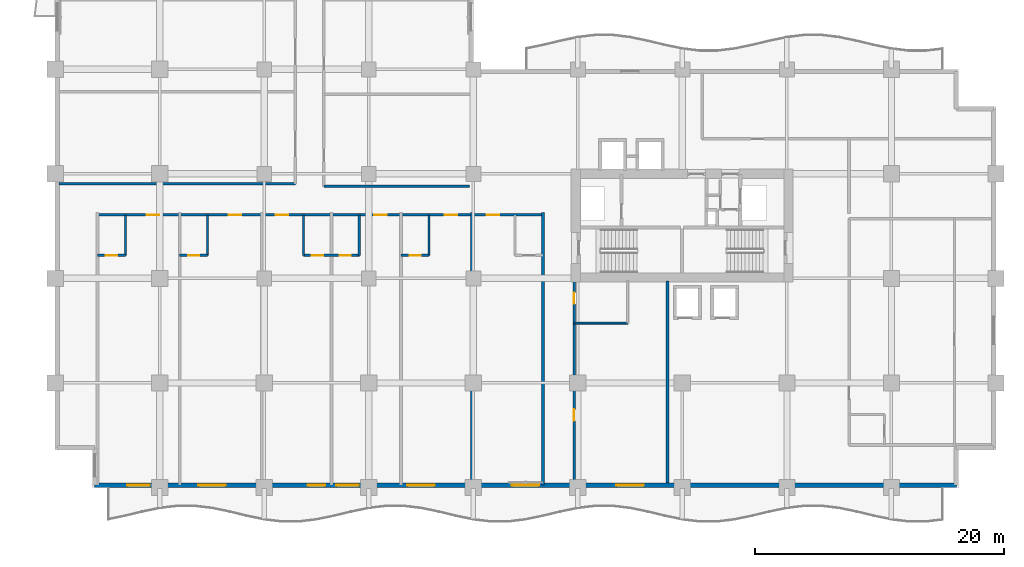
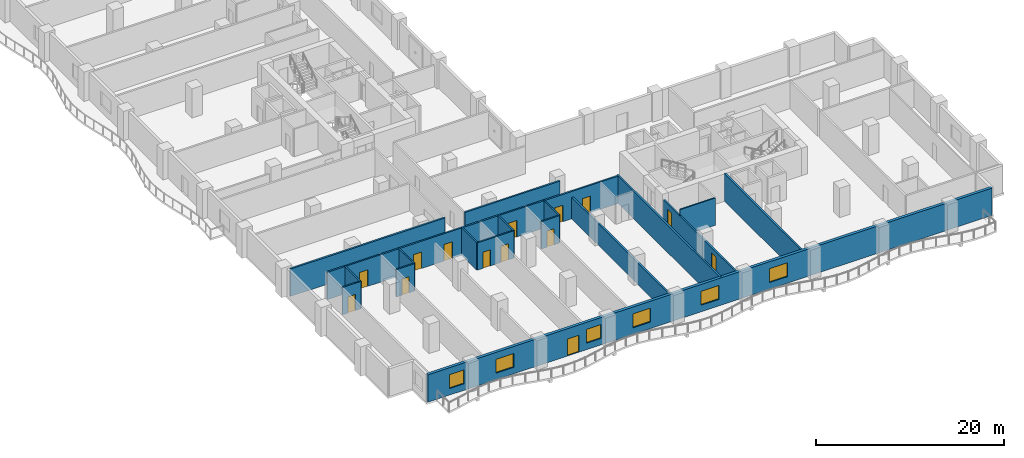
# One storey, part 4 of 17: 18 walls, 14 doors, 6 windows, 20 openings.
"""IFC4 building model written with IfcOpenShell, lengths in metres."""

from ifc_helpers import new_model, si_unit, direction, frame, frame_2d, origin, place, context, subcontext, project, spatial, rectangle, extrude, material, layer, layer_set, type_object, element, fill, save


model = new_model("IFC4")

# Units and contexts
model_context = context("Model", 3, precision=1e-05, world=origin(), true_north=direction((0.0, 1.0)))
body_context = subcontext(model_context, "Body", "Model", "MODEL_VIEW")
ifc_project = project(units=[si_unit("LENGTHUNIT", "METRE"), si_unit("AREAUNIT", "SQUARE_METRE"), si_unit("VOLUMEUNIT", "CUBIC_METRE"), si_unit("PLANEANGLEUNIT", "RADIAN"), si_unit("MASSUNIT", "GRAM", prefix="KILO")], contexts=[model_context])

# Site, building, storey
site_placement = place(None, origin())
site = spatial("IfcSite", under=ifc_project, at=site_placement, CompositionType="ELEMENT")
building_placement = place(site_placement, origin())
building = spatial("IfcBuilding", under=site, at=building_placement, Name="Koriwani Terraces Tower", CompositionType="ELEMENT")
storey_placement = place(building_placement, frame((0.0, 0.0, 122.800048828125)))
storey = spatial("IfcBuildingStorey", under=building, at=storey_placement, Name="L29", CompositionType="ELEMENT", Elevation=122.800048828125)

# Wall, openings, doors
ifc_material_1 = material(Name="Autoclaved Cellular Concrete Blockwork", Category="masonry")
ifc_layer_1 = layer(ifc_material_1, 0.199951171875, Name="Autoclaved Cellular Concrete Blockwork")
ifc_layer_set_1 = layer_set([ifc_layer_1], Name="Autoclaved Cellular Concrete Blockwork")
wall_type_1 = type_object("IfcWallType", Name="WALL_CORRIDOR_200", PredefinedType="PARTITIONING", material=ifc_layer_set_1)
wall_1_placement = place(storey_placement, frame((41.699951171875, 0.35009765625, 0.0), z_axis=(0.0, 0.0, 1.0), x_axis=(0.0, 1.0, 0.0)))
wall_1 = element("IfcWall", 1, at=wall_1_placement, inside=storey, type_object=wall_type_1, Name="L29 Interior Wall WREC-EW-L29", PredefinedType="PARTITIONING", context=body_context, shape_type="SweptSolid", body=[
    extrude(rectangle(XDim=16.25, YDim=0.199951171875, at=frame_2d((8.125, 0.0))), origin(), (0.0, 0.0, 1.0), 2.800048828125),
])
opening_1_placement = place(wall_1_placement, frame((5.0, 0.0, 0.0)))
opening_1 = element("IfcOpeningElement", 2, at=opening_1_placement, cuts=wall_1, Name="Opening D-06", PredefinedType="OPENING", context=body_context, shape_type="SweptSolid", body=[
    extrude(rectangle(XDim=0.919921875, YDim=2.10009765625, at=frame_2d((0.4599609375, 1.050048828125))), frame((0.0, 0.10986328125, 0.0), z_axis=(0.0, -1.0, 0.0), x_axis=(1.0, 0.0, 0.0)), (0.0, 0.0, 1.0), 0.219970703125),
])
opening_2_placement = place(wall_1_placement, frame((14.39990234375, 0.0, 0.0)))
opening_2 = element("IfcOpeningElement", 3, at=opening_2_placement, cuts=wall_1, Name="Opening D-07", PredefinedType="OPENING", context=body_context, shape_type="SweptSolid", body=[
    extrude(rectangle(XDim=0.89990234375, YDim=2.10009765625, at=frame_2d((0.449951171875, 1.050048828125))), frame((0.0, 0.10986328125, 0.0), z_axis=(0.0, -1.0, 0.0), x_axis=(1.0, 0.0, 0.0)), (0.0, 0.0, 1.0), 0.219970703125),
])
ifc_material_2 = material(Name="Architectural Oak Fire Door", Category="wood")
door_type_1 = type_object("IfcDoorType", Name="DOOR_BATH_INT_900X2100", OperationType="NOTDEFINED", PredefinedType="DOOR", material=ifc_material_2)
door_1_placement = place(opening_2_placement, origin())
door_1 = element("IfcDoor", 4, at=door_1_placement, inside=storey, type_object=door_type_1, Name="L29 Linen Closet Door", OperationType="SINGLE_SWING_LEFT", OverallHeight=2.10009765625, OverallWidth=0.89990234375, PredefinedType="DOOR", context=body_context, shape_type="SweptSolid", body=[
    extrude(rectangle(XDim=0.89990234375, YDim=2.10009765625, at=frame_2d((0.449951171875, 1.050048828125))), frame((0.0, 0.02490234375, 0.0), z_axis=(0.0, -1.0, 0.0), x_axis=(1.0, 0.0, 0.0)), (0.0, 0.0, 1.0), 0.050048828125),
])
fill(opening_2, door_1)
door_type_2 = type_object("IfcDoorType", Name="DOOR_ROOM_INT_920X2100", OperationType="NOTDEFINED", PredefinedType="DOOR", material=ifc_material_2)
door_2_placement = place(opening_1_placement, origin())
door_2 = element("IfcDoor", 5, at=door_2_placement, inside=storey, type_object=door_type_2, Name="L29 Floor Study Lounge Door", OperationType="SINGLE_SWING_RIGHT", OverallHeight=2.10009765625, OverallWidth=0.919921875, PredefinedType="DOOR", context=body_context, shape_type="SweptSolid", body=[
    extrude(rectangle(XDim=0.919921875, YDim=2.10009765625, at=frame_2d((0.4599609375, 1.050048828125))), frame((0.0, 0.02490234375, 0.0), z_axis=(0.0, -1.0, 0.0), x_axis=(1.0, 0.0, 0.0)), (0.0, 0.0, 1.0), 0.050048828125),
])
fill(opening_1, door_2)

# Wall
wall_2_placement = place(storey_placement, frame((21.60009765625, 24.199951171875, 0.0), z_axis=(0.0, 0.0, 1.0), x_axis=(1.0, 0.0, 0.0)))
element("IfcWall", 6, at=wall_2_placement, inside=storey, type_object=wall_type_1, Name="L29 Interior Wall WIC2-S-L29", PredefinedType="PARTITIONING", context=body_context, shape_type="SweptSolid", body=[
    extrude(rectangle(XDim=11.699951171875, YDim=0.199951171875, at=frame_2d((5.85009765625, 0.0))), origin(), (0.0, 0.0, 1.0), 3.550048828125),
])

# Wall, openings, doors
wall_3_placement = place(storey_placement, frame((3.39990234375, 21.89990234375, 0.0), z_axis=(0.0, 0.0, 1.0), x_axis=(1.0, 0.0, 0.0)))
wall_3 = element("IfcWall", 7, at=wall_3_placement, inside=storey, type_object=wall_type_1, Name="L29 Interior Wall WCOR-L29-SW-0", PredefinedType="PARTITIONING", context=body_context, shape_type="SweptSolid", body=[
    extrude(rectangle(XDim=35.800048828125, YDim=0.199951171875, at=frame_2d((17.89990234375, 0.0))), origin(), (0.0, 0.0, 1.0), 3.550048828125),
])
opening_3_placement = place(wall_3_placement, frame((3.965087890625, 0.0, 0.0)))
opening_3 = element("IfcOpeningElement", 8, at=opening_3_placement, cuts=wall_3, Name="Opening D-05", PredefinedType="OPENING", context=body_context, shape_type="SweptSolid", body=[
    extrude(rectangle(XDim=1.0, YDim=2.14990234375, at=frame_2d((0.5, 1.074951171875))), frame((0.0, 0.10986328125, 0.0), z_axis=(0.0, -1.0, 0.0), x_axis=(1.0, 0.0, 0.0)), (0.0, 0.0, 1.0), 0.219970703125),
])
opening_4_placement = place(wall_3_placement, frame((10.56494140625, 0.0, 0.0)))
opening_4 = element("IfcOpeningElement", 9, at=opening_4_placement, cuts=wall_3, Name="Opening D-05", PredefinedType="OPENING", context=body_context, shape_type="SweptSolid", body=[
    extrude(rectangle(XDim=1.0, YDim=2.14990234375, at=frame_2d((0.5, 1.074951171875))), frame((0.0, 0.10986328125, 0.0), z_axis=(0.0, -1.0, 0.0), x_axis=(1.0, 0.0, 0.0)), (0.0, 0.0, 1.0), 0.219970703125),
])
opening_5_placement = place(wall_3_placement, frame((14.340087890625, 0.0, 0.0)))
opening_5 = element("IfcOpeningElement", 10, at=opening_5_placement, cuts=wall_3, Name="Opening D-05", PredefinedType="OPENING", context=body_context, shape_type="SweptSolid", body=[
    extrude(rectangle(XDim=1.0, YDim=2.14990234375, at=frame_2d((0.5, 1.074951171875))), frame((0.0, 0.10986328125, 0.0), z_axis=(0.0, -1.0, 0.0), x_axis=(1.0, 0.0, 0.0)), (0.0, 0.0, 1.0), 0.219970703125),
])
opening_6_placement = place(wall_3_placement, frame((22.260009765625, 0.0, 0.0)))
opening_6 = element("IfcOpeningElement", 11, at=opening_6_placement, cuts=wall_3, Name="Opening D-05", PredefinedType="OPENING", context=body_context, shape_type="SweptSolid", body=[
    extrude(rectangle(XDim=1.0, YDim=2.14990234375, at=frame_2d((0.5, 1.074951171875))), frame((0.0, 0.10986328125, 0.0), z_axis=(0.0, -1.0, 0.0), x_axis=(1.0, 0.0, 0.0)), (0.0, 0.0, 1.0), 0.219970703125),
])
opening_7_placement = place(wall_3_placement, frame((27.9150390625, 0.0, 0.0)))
opening_7 = element("IfcOpeningElement", 12, at=opening_7_placement, cuts=wall_3, Name="Opening D-05", PredefinedType="OPENING", context=body_context, shape_type="SweptSolid", body=[
    extrude(rectangle(XDim=1.0, YDim=2.14990234375, at=frame_2d((0.5, 1.074951171875))), frame((0.0, 0.10986328125, 0.0), z_axis=(0.0, -1.0, 0.0), x_axis=(1.0, 0.0, 0.0)), (0.0, 0.0, 1.0), 0.219970703125),
])
opening_8_placement = place(wall_3_placement, frame((31.284912109375, 0.0, 0.0)))
opening_8 = element("IfcOpeningElement", 13, at=opening_8_placement, cuts=wall_3, Name="Opening D-05", PredefinedType="OPENING", context=body_context, shape_type="SweptSolid", body=[
    extrude(rectangle(XDim=1.0, YDim=2.14990234375, at=frame_2d((0.5, 1.074951171875))), frame((0.0, 0.10986328125, 0.0), z_axis=(0.0, -1.0, 0.0), x_axis=(1.0, 0.0, 0.0)), (0.0, 0.0, 1.0), 0.219970703125),
])
door_type_3 = type_object("IfcDoorType", Name="DOOR_SUITE_ENTRY_1000X2150", OperationType="NOTDEFINED", PredefinedType="DOOR", material=ifc_material_2)
door_3_placement = place(opening_3_placement, origin())
door_3 = element("IfcDoor", 14, at=door_3_placement, inside=storey, type_object=door_type_3, Name="Luxury Hotel Suite 29SW1 Entrance Door", OperationType="SINGLE_SWING_LEFT", OverallHeight=2.14990234375, OverallWidth=1.0, PredefinedType="DOOR", context=body_context, shape_type="SweptSolid", body=[
    extrude(rectangle(XDim=1.0, YDim=2.14990234375, at=frame_2d((0.5, 1.074951171875))), frame((0.0, 0.02490234375, 0.0), z_axis=(0.0, -1.0, 0.0), x_axis=(1.0, 0.0, 0.0)), (0.0, 0.0, 1.0), 0.050048828125),
])
fill(opening_3, door_3)
door_4_placement = place(opening_4_placement, origin())
door_4 = element("IfcDoor", 15, at=door_4_placement, inside=storey, type_object=door_type_3, Name="Luxury Hotel Suite 29SW2 Entrance Door", OperationType="SINGLE_SWING_LEFT", OverallHeight=2.14990234375, OverallWidth=1.0, PredefinedType="DOOR", context=body_context, shape_type="SweptSolid", body=[
    extrude(rectangle(XDim=1.0, YDim=2.14990234375, at=frame_2d((0.5, 1.074951171875))), frame((0.0, 0.02490234375, 0.0), z_axis=(0.0, -1.0, 0.0), x_axis=(1.0, 0.0, 0.0)), (0.0, 0.0, 1.0), 0.050048828125),
])
fill(opening_4, door_4)
door_5_placement = place(opening_5_placement, origin())
door_5 = element("IfcDoor", 16, at=door_5_placement, inside=storey, type_object=door_type_3, Name="Luxury Hotel Suite 29SW3 Entrance Door", OperationType="SINGLE_SWING_LEFT", OverallHeight=2.14990234375, OverallWidth=1.0, PredefinedType="DOOR", context=body_context, shape_type="SweptSolid", body=[
    extrude(rectangle(XDim=1.0, YDim=2.14990234375, at=frame_2d((0.5, 1.074951171875))), frame((0.0, 0.02490234375, 0.0), z_axis=(0.0, -1.0, 0.0), x_axis=(1.0, 0.0, 0.0)), (0.0, 0.0, 1.0), 0.050048828125),
])
fill(opening_5, door_5)
door_6_placement = place(opening_6_placement, origin())
door_6 = element("IfcDoor", 17, at=door_6_placement, inside=storey, type_object=door_type_3, Name="Luxury Hotel Suite 29SW4 Entrance Door", OperationType="SINGLE_SWING_LEFT", OverallHeight=2.14990234375, OverallWidth=1.0, PredefinedType="DOOR", context=body_context, shape_type="SweptSolid", body=[
    extrude(rectangle(XDim=1.0, YDim=2.14990234375, at=frame_2d((0.5, 1.074951171875))), frame((0.0, 0.02490234375, 0.0), z_axis=(0.0, -1.0, 0.0), x_axis=(1.0, 0.0, 0.0)), (0.0, 0.0, 1.0), 0.050048828125),
])
fill(opening_6, door_6)
door_7_placement = place(opening_7_placement, origin())
door_7 = element("IfcDoor", 18, at=door_7_placement, inside=storey, type_object=door_type_3, Name="Luxury Hotel Suite 29SW5 Entrance Door", OperationType="SINGLE_SWING_LEFT", OverallHeight=2.14990234375, OverallWidth=1.0, PredefinedType="DOOR", context=body_context, shape_type="SweptSolid", body=[
    extrude(rectangle(XDim=1.0, YDim=2.14990234375, at=frame_2d((0.5, 1.074951171875))), frame((0.0, 0.02490234375, 0.0), z_axis=(0.0, -1.0, 0.0), x_axis=(1.0, 0.0, 0.0)), (0.0, 0.0, 1.0), 0.050048828125),
])
fill(opening_7, door_7)
door_8_placement = place(opening_8_placement, origin())
door_8 = element("IfcDoor", 19, at=door_8_placement, inside=storey, type_object=door_type_3, Name="Luxury Hotel Suite 29SW6 Entrance Door", OperationType="SINGLE_SWING_LEFT", OverallHeight=2.14990234375, OverallWidth=1.0, PredefinedType="DOOR", context=body_context, shape_type="SweptSolid", body=[
    extrude(rectangle(XDim=1.0, YDim=2.14990234375, at=frame_2d((0.5, 1.074951171875))), frame((0.0, 0.02490234375, 0.0), z_axis=(0.0, -1.0, 0.0), x_axis=(1.0, 0.0, 0.0)), (0.0, 0.0, 1.0), 0.050048828125),
])
fill(opening_8, door_8)

# Walls
ifc_layer_2 = layer(ifc_material_1, 0.219970703125, Name="Autoclaved Cellular Concrete Blockwork")
ifc_layer_set_2 = layer_set([ifc_layer_2], Name="Autoclaved Cellular Concrete Blockwork")
wall_type_2 = type_object("IfcWallType", Name="WALL_DEMISING_220", PredefinedType="PARTITIONING", material=ifc_layer_set_2)
wall_4_placement = place(storey_placement, frame((49.199951171875, 0.35009765625, 0.0), z_axis=(0.0, 0.0, 1.0), x_axis=(0.0, 1.0, 0.0)))
element("IfcWall", 20, at=wall_4_placement, inside=storey, type_object=wall_type_2, Name="L29 Interior Wall WREC-EE-L29", PredefinedType="PARTITIONING", context=body_context, shape_type="SweptSolid", body=[
    extrude(rectangle(XDim=16.25, YDim=0.219970703125, at=frame_2d((8.125, 0.0))), origin(), (0.0, 0.0, 1.0), 3.550048828125),
])
wall_5_placement = place(storey_placement, frame((33.5, 0.199951171875, 0.0), z_axis=(0.0, 0.0, 1.0), x_axis=(0.0, 1.0, 0.0)))
element("IfcWall", 21, at=wall_5_placement, inside=storey, type_object=wall_type_2, Name="L29 Interior Wall WDEM-L29-SW-5", PredefinedType="PARTITIONING", context=body_context, shape_type="SweptSolid", body=[
    extrude(rectangle(XDim=21.880126953125, YDim=0.219970703125, at=frame_2d((10.93994140625, 0.0))), origin(), (0.0, 0.0, 1.0), 2.800048828125),
])
wall_6_placement = place(storey_placement, frame((39.199951171875, 0.199951171875, 0.0), z_axis=(0.0, 0.0, 1.0), x_axis=(0.0, 1.0, 0.0)))
element("IfcWall", 22, at=wall_6_placement, inside=storey, type_object=wall_type_2, Name="L29 Interior Wall WDEME-L29-SW", PredefinedType="PARTITIONING", context=body_context, shape_type="SweptSolid", body=[
    extrude(rectangle(XDim=21.880126953125, YDim=0.219970703125, at=frame_2d((10.93994140625, 0.0))), origin(), (0.0, 0.0, 1.0), 3.550048828125),
])
wall_7_placement = place(storey_placement, frame((0.300048828125, 24.39990234375, 0.0), z_axis=(0.0, 0.0, 1.0), x_axis=(1.0, 0.0, 0.0)))
element("IfcWall", 23, at=wall_7_placement, inside=storey, type_object=wall_type_2, Name="L29 Interior Wall WC2NWCLS-L29", PredefinedType="PARTITIONING", context=body_context, shape_type="SweptSolid", body=[
    extrude(rectangle(XDim=19.0, YDim=0.219970703125, at=frame_2d((9.5, 0.0))), origin(), (0.0, 0.0, 1.0), 3.550048828125),
])

# Wall, openings, door, windows
ifc_material_3 = material(Name="Concrete C50/60", Category="concrete")
ifc_layer_3 = layer(ifc_material_3, 0.35009765625, Name="Concrete C50/60")
ifc_layer_set_3 = layer_set([ifc_layer_3], Name="Concrete C50/60")
wall_type_3 = type_object("IfcWallType", Name="WALL_EXT_BRUTALIST_350", PredefinedType="STANDARD", material=ifc_layer_set_3)
wall_8_placement = place(storey_placement, frame((72.425048828125, 0.175048828125, 0.0), z_axis=(0.0, 0.0, 1.0), x_axis=(-1.0, 0.0, 0.0)))
wall_8 = element("IfcWall", 24, at=wall_8_placement, inside=storey, type_object=wall_type_3, Name="L29 Fair-Faced Brutalist Exterior Wall (S)", PredefinedType="STANDARD", context=body_context, shape_type="SweptSolid", body=[
    extrude(rectangle(XDim=69.25, YDim=0.35009765625, at=frame_2d((34.625, 0.0))), origin(), (0.0, 0.0, 1.0), 3.550048828125),
])
opening_9_placement = place(wall_8_placement, frame((50.72509765625, 0.0, 0.0)))
opening_9 = element("IfcOpeningElement", 25, at=opening_9_placement, cuts=wall_8, Name="Opening D-09", PredefinedType="OPENING", context=body_context, shape_type="SweptSolid", body=[
    extrude(rectangle(XDim=1.39990234375, YDim=2.199951171875, at=frame_2d((0.699951171875, 1.10009765625))), frame((0.0, 0.18505859375, 0.0), z_axis=(0.0, -1.0, 0.0), x_axis=(1.0, 0.0, 0.0)), (0.0, 0.0, 1.0), 0.3701171875),
])
opening_10_placement = place(wall_8_placement, frame((58.72509765625, 0.0, 0.85009765625)))
opening_10 = element("IfcOpeningElement", 26, at=opening_10_placement, cuts=wall_8, Name="Opening W-01", PredefinedType="OPENING", context=body_context, shape_type="SweptSolid", body=[
    extrude(rectangle(XDim=2.199951171875, YDim=1.800048828125, at=frame_2d((1.10009765625, 0.89990234375))), frame((0.0, 0.18505859375, 0.0), z_axis=(0.0, -1.0, 0.0), x_axis=(1.0, 0.0, 0.0)), (0.0, 0.0, 1.0), 0.3701171875),
])
opening_11_placement = place(wall_8_placement, frame((41.925048828125, 0.0, 0.85009765625)))
opening_11 = element("IfcOpeningElement", 27, at=opening_11_placement, cuts=wall_8, Name="Opening W-01", PredefinedType="OPENING", context=body_context, shape_type="SweptSolid", body=[
    extrude(rectangle(XDim=2.199951171875, YDim=1.800048828125, at=frame_2d((1.10009765625, 0.89990234375))), frame((0.0, 0.18505859375, 0.0), z_axis=(0.0, -1.0, 0.0), x_axis=(1.0, 0.0, 0.0)), (0.0, 0.0, 1.0), 0.3701171875),
])
opening_12_placement = place(wall_8_placement, frame((33.52490234375, 0.0, 0.85009765625)))
opening_12 = element("IfcOpeningElement", 28, at=opening_12_placement, cuts=wall_8, Name="Opening W-01", PredefinedType="OPENING", context=body_context, shape_type="SweptSolid", body=[
    extrude(rectangle(XDim=2.199951171875, YDim=1.800048828125, at=frame_2d((1.10009765625, 0.89990234375))), frame((0.0, 0.18505859375, 0.0), z_axis=(0.0, -1.0, 0.0), x_axis=(1.0, 0.0, 0.0)), (0.0, 0.0, 1.0), 0.3701171875),
])
opening_13_placement = place(wall_8_placement, frame((25.125, 0.0, 0.85009765625)))
opening_13 = element("IfcOpeningElement", 29, at=opening_13_placement, cuts=wall_8, Name="Opening W-01", PredefinedType="OPENING", context=body_context, shape_type="SweptSolid", body=[
    extrude(rectangle(XDim=2.199951171875, YDim=1.800048828125, at=frame_2d((1.10009765625, 0.89990234375))), frame((0.0, 0.18505859375, 0.0), z_axis=(0.0, -1.0, 0.0), x_axis=(1.0, 0.0, 0.0)), (0.0, 0.0, 1.0), 0.3701171875),
])
opening_14_placement = place(wall_8_placement, frame((64.824951171875, 0.0, 0.85009765625)))
opening_14 = element("IfcOpeningElement", 30, at=opening_14_placement, cuts=wall_8, Name="Opening W-04", PredefinedType="OPENING", context=body_context, shape_type="SweptSolid", body=[
    extrude(rectangle(XDim=1.800048828125, YDim=1.800048828125, at=frame_2d((0.89990234375, 0.89990234375))), frame((0.0, 0.18505859375, 0.0), z_axis=(0.0, -1.0, 0.0), x_axis=(1.0, 0.0, 0.0)), (0.0, 0.0, 1.0), 0.3701171875),
])
opening_15_placement = place(wall_8_placement, frame((48.02490234375, 0.0, 0.85009765625)))
opening_15 = element("IfcOpeningElement", 31, at=opening_15_placement, cuts=wall_8, Name="Opening W-04", PredefinedType="OPENING", context=body_context, shape_type="SweptSolid", body=[
    extrude(rectangle(XDim=1.800048828125, YDim=1.800048828125, at=frame_2d((0.89990234375, 0.89990234375))), frame((0.0, 0.18505859375, 0.0), z_axis=(0.0, -1.0, 0.0), x_axis=(1.0, 0.0, 0.0)), (0.0, 0.0, 1.0), 0.3701171875),
])
ifc_material_4 = material(Name="Anodised Bronze Aluminium", Category="aluminium")
door_type_4 = type_object("IfcDoorType", Name="DOOR_BALCONY_GLAZED_1400X2200", OperationType="NOTDEFINED", PredefinedType="DOOR", material=ifc_material_4)
door_9_placement = place(opening_9_placement, origin())
door_9 = element("IfcDoor", 32, at=door_9_placement, inside=storey, type_object=door_type_4, Name="L29 South Balcony Glazed Door", OperationType="SINGLE_SWING_LEFT", OverallHeight=2.199951171875, OverallWidth=1.39990234375, PredefinedType="DOOR", context=body_context, shape_type="SweptSolid", body=[
    extrude(rectangle(XDim=1.39990234375, YDim=2.199951171875, at=frame_2d((0.699951171875, 1.10009765625))), frame((0.0, 0.02490234375, 0.0), z_axis=(0.0, -1.0, 0.0), x_axis=(1.0, 0.0, 0.0)), (0.0, 0.0, 1.0), 0.050048828125),
])
fill(opening_9, door_9)
ifc_material_5 = material(Name="Tempered Laminated Low-E Glass", Category="glass")
window_type_1 = type_object("IfcWindowType", Name="WIN_HOTEL_STD_2200X1800", PartitioningType="DOUBLE_PANEL_VERTICAL", PredefinedType="WINDOW", material=ifc_material_5)
window_1_placement = place(opening_10_placement, origin())
window_1 = element("IfcWindow", 33, at=window_1_placement, inside=storey, type_object=window_type_1, Name="L29 Exterior Window (S-3)", OverallHeight=1.800048828125, OverallWidth=2.199951171875, PartitioningType="SINGLE_PANEL", PredefinedType="WINDOW", context=body_context, shape_type="SweptSolid", body=[
    extrude(rectangle(XDim=2.199951171875, YDim=1.800048828125, at=frame_2d((1.10009765625, 0.89990234375))), frame((0.0, 0.030029296875, 0.0), z_axis=(0.0, -1.0, 0.0), x_axis=(1.0, 0.0, 0.0)), (0.0, 0.0, 1.0), 0.06005859375),
])
fill(opening_10, window_1)
window_2_placement = place(opening_11_placement, origin())
window_2 = element("IfcWindow", 34, at=window_2_placement, inside=storey, type_object=window_type_1, Name="L29 Exterior Window (S-9)", OverallHeight=1.800048828125, OverallWidth=2.199951171875, PartitioningType="SINGLE_PANEL", PredefinedType="WINDOW", context=body_context, shape_type="SweptSolid", body=[
    extrude(rectangle(XDim=2.199951171875, YDim=1.800048828125, at=frame_2d((1.10009765625, 0.89990234375))), frame((0.0, 0.030029296875, 0.0), z_axis=(0.0, -1.0, 0.0), x_axis=(1.0, 0.0, 0.0)), (0.0, 0.0, 1.0), 0.06005859375),
])
fill(opening_11, window_2)
window_3_placement = place(opening_12_placement, origin())
window_3 = element("IfcWindow", 35, at=window_3_placement, inside=storey, type_object=window_type_1, Name="L29 Exterior Window (S-12)", OverallHeight=1.800048828125, OverallWidth=2.199951171875, PartitioningType="SINGLE_PANEL", PredefinedType="WINDOW", context=body_context, shape_type="SweptSolid", body=[
    extrude(rectangle(XDim=2.199951171875, YDim=1.800048828125, at=frame_2d((1.10009765625, 0.89990234375))), frame((0.0, 0.030029296875, 0.0), z_axis=(0.0, -1.0, 0.0), x_axis=(1.0, 0.0, 0.0)), (0.0, 0.0, 1.0), 0.06005859375),
])
fill(opening_12, window_3)
window_4_placement = place(opening_13_placement, origin())
window_4 = element("IfcWindow", 36, at=window_4_placement, inside=storey, type_object=window_type_1, Name="L29 Exterior Window (S-15)", OverallHeight=1.800048828125, OverallWidth=2.199951171875, PartitioningType="SINGLE_PANEL", PredefinedType="WINDOW", context=body_context, shape_type="SweptSolid", body=[
    extrude(rectangle(XDim=2.199951171875, YDim=1.800048828125, at=frame_2d((1.10009765625, 0.89990234375))), frame((0.0, 0.030029296875, 0.0), z_axis=(0.0, -1.0, 0.0), x_axis=(1.0, 0.0, 0.0)), (0.0, 0.0, 1.0), 0.06005859375),
])
fill(opening_13, window_4)
window_type_2 = type_object("IfcWindowType", Name="WIN_RES_BED_1800X1800", PartitioningType="DOUBLE_PANEL_VERTICAL", PredefinedType="WINDOW", material=ifc_material_5)
window_5_placement = place(opening_14_placement, origin())
window_5 = element("IfcWindow", 37, at=window_5_placement, inside=storey, type_object=window_type_2, Name="L29 Exterior Window (S-R32)", OverallHeight=1.800048828125, OverallWidth=1.800048828125, PartitioningType="SINGLE_PANEL", PredefinedType="WINDOW", context=body_context, shape_type="SweptSolid", body=[
    extrude(rectangle(XDim=1.800048828125, YDim=1.800048828125, at=frame_2d((0.89990234375, 0.89990234375))), frame((0.0, 0.030029296875, 0.0), z_axis=(0.0, -1.0, 0.0), x_axis=(1.0, 0.0, 0.0)), (0.0, 0.0, 1.0), 0.06005859375),
])
fill(opening_14, window_5)
window_6_placement = place(opening_15_placement, origin())
window_6 = element("IfcWindow", 38, at=window_6_placement, inside=storey, type_object=window_type_2, Name="L29 Exterior Window (S-R38)", OverallHeight=1.800048828125, OverallWidth=1.800048828125, PartitioningType="SINGLE_PANEL", PredefinedType="WINDOW", context=body_context, shape_type="SweptSolid", body=[
    extrude(rectangle(XDim=1.800048828125, YDim=1.800048828125, at=frame_2d((0.89990234375, 0.89990234375))), frame((0.0, 0.030029296875, 0.0), z_axis=(0.0, -1.0, 0.0), x_axis=(1.0, 0.0, 0.0)), (0.0, 0.0, 1.0), 0.06005859375),
])
fill(opening_15, window_6)

# Wall, opening, door
ifc_material_6 = material(Name="Fire-Rated Acoustic Gypsum Partition", Category="masonry")
ifc_layer_4 = layer(ifc_material_6, 0.179931640625, Name="Fire-Rated Acoustic Gypsum Partition")
ifc_layer_set_4 = layer_set([ifc_layer_4], Name="Fire-Rated Acoustic Gypsum Partition")
wall_type_4 = type_object("IfcWallType", Name="WALL_PLUMBING_180", PredefinedType="PLUMBINGWALL", material=ifc_layer_set_4)
wall_9_placement = place(storey_placement, frame((3.39990234375, 18.64990234375, 0.0), z_axis=(0.0, 0.0, 1.0), x_axis=(1.0, 0.0, 0.0)))
wall_9 = element("IfcWall", 39, at=wall_9_placement, inside=storey, type_object=wall_type_4, Name="L29 Interior Wall WBTH1-L29-SW-0", PredefinedType="PLUMBINGWALL", context=body_context, shape_type="SweptSolid", body=[
    extrude(rectangle(XDim=2.25, YDim=0.179931640625, at=frame_2d((1.125, 0.0))), origin(), (0.0, 0.0, 1.0), 3.550048828125),
])
opening_16_placement = place(wall_9_placement, frame((0.675048828125, 0.0, 0.0)))
opening_16 = element("IfcOpeningElement", 40, at=opening_16_placement, cuts=wall_9, Name="Opening D-07", PredefinedType="OPENING", context=body_context, shape_type="SweptSolid", body=[
    extrude(rectangle(XDim=0.89990234375, YDim=2.10009765625, at=frame_2d((0.449951171875, 1.050048828125))), frame((0.0, 0.10009765625, 0.0), z_axis=(0.0, -1.0, 0.0), x_axis=(1.0, 0.0, 0.0)), (0.0, 0.0, 1.0), 0.199951171875),
])
door_10_placement = place(opening_16_placement, origin())
door_10 = element("IfcDoor", 41, at=door_10_placement, inside=storey, type_object=door_type_1, Name="En-Suite Bathroom 29SW1 Door", OperationType="SINGLE_SWING_RIGHT", OverallHeight=2.10009765625, OverallWidth=0.89990234375, PredefinedType="DOOR", context=body_context, shape_type="SweptSolid", body=[
    extrude(rectangle(XDim=0.89990234375, YDim=2.10009765625, at=frame_2d((0.449951171875, 1.050048828125))), frame((0.0, 0.02490234375, 0.0), z_axis=(0.0, -1.0, 0.0), x_axis=(1.0, 0.0, 0.0)), (0.0, 0.0, 1.0), 0.050048828125),
])
fill(opening_16, door_10)

# Wall
wall_10_placement = place(storey_placement, frame((5.64990234375, 18.64990234375, 0.0), z_axis=(0.0, 0.0, 1.0), x_axis=(0.0, 1.0, 0.0)))
element("IfcWall", 42, at=wall_10_placement, inside=storey, type_object=wall_type_4, Name="L29 Interior Wall WBTH2-L29-SW-0", PredefinedType="PLUMBINGWALL", context=body_context, shape_type="SweptSolid", body=[
    extrude(rectangle(XDim=3.25, YDim=0.179931640625, at=frame_2d((1.625, 0.0))), origin(), (0.0, 0.0, 1.0), 3.550048828125),
])

# Wall, opening, door
wall_11_placement = place(storey_placement, frame((10.0, 18.64990234375, 0.0), z_axis=(0.0, 0.0, 1.0), x_axis=(1.0, 0.0, 0.0)))
wall_11 = element("IfcWall", 43, at=wall_11_placement, inside=storey, type_object=wall_type_4, Name="L29 Interior Wall WBTH1-L29-SW-1", PredefinedType="PLUMBINGWALL", context=body_context, shape_type="SweptSolid", body=[
    extrude(rectangle(XDim=2.25, YDim=0.179931640625, at=frame_2d((1.125, 0.0))), origin(), (0.0, 0.0, 1.0), 3.550048828125),
])
opening_17_placement = place(wall_11_placement, frame((0.675048828125, 0.0, 0.0)))
opening_17 = element("IfcOpeningElement", 44, at=opening_17_placement, cuts=wall_11, Name="Opening D-07", PredefinedType="OPENING", context=body_context, shape_type="SweptSolid", body=[
    extrude(rectangle(XDim=0.89990234375, YDim=2.10009765625, at=frame_2d((0.449951171875, 1.050048828125))), frame((0.0, 0.10009765625, 0.0), z_axis=(0.0, -1.0, 0.0), x_axis=(1.0, 0.0, 0.0)), (0.0, 0.0, 1.0), 0.199951171875),
])
door_11_placement = place(opening_17_placement, origin())
door_11 = element("IfcDoor", 45, at=door_11_placement, inside=storey, type_object=door_type_1, Name="En-Suite Bathroom 29SW2 Door", OperationType="SINGLE_SWING_RIGHT", OverallHeight=2.10009765625, OverallWidth=0.89990234375, PredefinedType="DOOR", context=body_context, shape_type="SweptSolid", body=[
    extrude(rectangle(XDim=0.89990234375, YDim=2.10009765625, at=frame_2d((0.449951171875, 1.050048828125))), frame((0.0, 0.02490234375, 0.0), z_axis=(0.0, -1.0, 0.0), x_axis=(1.0, 0.0, 0.0)), (0.0, 0.0, 1.0), 0.050048828125),
])
fill(opening_17, door_11)

# Wall
wall_12_placement = place(storey_placement, frame((12.25, 18.64990234375, 0.0), z_axis=(0.0, 0.0, 1.0), x_axis=(0.0, 1.0, 0.0)))
element("IfcWall", 46, at=wall_12_placement, inside=storey, type_object=wall_type_4, Name="L29 Interior Wall WBTH2-L29-SW-1", PredefinedType="PLUMBINGWALL", context=body_context, shape_type="SweptSolid", body=[
    extrude(rectangle(XDim=3.25, YDim=0.179931640625, at=frame_2d((1.625, 0.0))), origin(), (0.0, 0.0, 1.0), 3.550048828125),
])

# Wall, openings, doors
wall_13_placement = place(storey_placement, frame((19.9599609375, 18.64990234375, 0.0), z_axis=(0.0, 0.0, 1.0), x_axis=(1.0, 0.0, 0.0)))
wall_13 = element("IfcWall", 47, at=wall_13_placement, inside=storey, type_object=wall_type_4, Name="L29 Interior Wall WBTH1-L29-SW-2", PredefinedType="PLUMBINGWALL", context=body_context, shape_type="SweptSolid", body=[
    extrude(rectangle(XDim=4.47998046875, YDim=0.179931640625, at=frame_2d((2.239990234375, 0.0))), origin(), (0.0, 0.0, 1.0), 3.550048828125),
])
opening_18_placement = place(wall_13_placement, frame((0.669921875, 0.0, 0.0)))
opening_18 = element("IfcOpeningElement", 48, at=opening_18_placement, cuts=wall_13, Name="Opening D-07", PredefinedType="OPENING", context=body_context, shape_type="SweptSolid", body=[
    extrude(rectangle(XDim=0.89990234375, YDim=2.10009765625, at=frame_2d((0.449951171875, 1.050048828125))), frame((0.0, 0.10009765625, 0.0), z_axis=(0.0, -1.0, 0.0), x_axis=(1.0, 0.0, 0.0)), (0.0, 0.0, 1.0), 0.199951171875),
])
opening_19_placement = place(wall_13_placement, frame((2.909912109375, 0.0, 0.0)))
opening_19 = element("IfcOpeningElement", 49, at=opening_19_placement, cuts=wall_13, Name="Opening D-07", PredefinedType="OPENING", context=body_context, shape_type="SweptSolid", body=[
    extrude(rectangle(XDim=0.89990234375, YDim=2.10009765625, at=frame_2d((0.449951171875, 1.050048828125))), frame((0.0, 0.10009765625, 0.0), z_axis=(0.0, -1.0, 0.0), x_axis=(1.0, 0.0, 0.0)), (0.0, 0.0, 1.0), 0.199951171875),
])
door_12_placement = place(opening_18_placement, origin())
door_12 = element("IfcDoor", 50, at=door_12_placement, inside=storey, type_object=door_type_1, Name="En-Suite Bathroom 29SW3 Door", OperationType="SINGLE_SWING_RIGHT", OverallHeight=2.10009765625, OverallWidth=0.89990234375, PredefinedType="DOOR", context=body_context, shape_type="SweptSolid", body=[
    extrude(rectangle(XDim=0.89990234375, YDim=2.10009765625, at=frame_2d((0.449951171875, 1.050048828125))), frame((0.0, 0.02490234375, 0.0), z_axis=(0.0, -1.0, 0.0), x_axis=(1.0, 0.0, 0.0)), (0.0, 0.0, 1.0), 0.050048828125),
])
fill(opening_18, door_12)
door_13_placement = place(opening_19_placement, origin())
door_13 = element("IfcDoor", 51, at=door_13_placement, inside=storey, type_object=door_type_1, Name="En-Suite Bathroom 29SW4 Door", OperationType="SINGLE_SWING_RIGHT", OverallHeight=2.10009765625, OverallWidth=0.89990234375, PredefinedType="DOOR", context=body_context, shape_type="SweptSolid", body=[
    extrude(rectangle(XDim=0.89990234375, YDim=2.10009765625, at=frame_2d((0.449951171875, 1.050048828125))), frame((0.0, 0.02490234375, 0.0), z_axis=(0.0, -1.0, 0.0), x_axis=(1.0, 0.0, 0.0)), (0.0, 0.0, 1.0), 0.050048828125),
])
fill(opening_19, door_13)

# Walls
for number, where, z_axis, x_axis, name in (
    (52, (19.9599609375, 18.64990234375, 0.0), (0.0, 0.0, 1.0), (0.0, 1.0, 0.0), "L29 Interior Wall WBTH2-L29-SW-2"),
    (53, (24.43994140625, 18.64990234375, 0.0), (0.0, 0.0, 1.0), (0.0, 1.0, 0.0), "L29 Interior Wall WBTH2-L29-SW-3"),
):
    element("IfcWall", number, at=place(storey_placement, frame(where, z_axis=z_axis, x_axis=x_axis)), inside=storey, type_object=wall_type_4, Name=name, PredefinedType="PLUMBINGWALL", context=body_context, shape_type="SweptSolid", body=[
        extrude(rectangle(XDim=3.25, YDim=0.179931640625, at=frame_2d((1.625, 0.0))), origin(), (0.0, 0.0, 1.0), 3.550048828125),
    ])

# Wall, opening, door
wall_14_placement = place(storey_placement, frame((27.800048828125, 18.64990234375, 0.0), z_axis=(0.0, 0.0, 1.0), x_axis=(1.0, 0.0, 0.0)))
wall_14 = element("IfcWall", 54, at=wall_14_placement, inside=storey, type_object=wall_type_4, Name="L29 Interior Wall WBTH1-L29-SW-4", PredefinedType="PLUMBINGWALL", context=body_context, shape_type="SweptSolid", body=[
    extrude(rectangle(XDim=2.25, YDim=0.179931640625, at=frame_2d((1.125, 0.0))), origin(), (0.0, 0.0, 1.0), 3.550048828125),
])
opening_20_placement = place(wall_14_placement, frame((0.675048828125, 0.0, 0.0)))
opening_20 = element("IfcOpeningElement", 55, at=opening_20_placement, cuts=wall_14, Name="Opening D-07", PredefinedType="OPENING", context=body_context, shape_type="SweptSolid", body=[
    extrude(rectangle(XDim=0.89990234375, YDim=2.10009765625, at=frame_2d((0.449951171875, 1.050048828125))), frame((0.0, 0.10009765625, 0.0), z_axis=(0.0, -1.0, 0.0), x_axis=(1.0, 0.0, 0.0)), (0.0, 0.0, 1.0), 0.199951171875),
])
door_14_placement = place(opening_20_placement, origin())
door_14 = element("IfcDoor", 56, at=door_14_placement, inside=storey, type_object=door_type_1, Name="En-Suite Bathroom 29SW5 Door", OperationType="SINGLE_SWING_RIGHT", OverallHeight=2.10009765625, OverallWidth=0.89990234375, PredefinedType="DOOR", context=body_context, shape_type="SweptSolid", body=[
    extrude(rectangle(XDim=0.89990234375, YDim=2.10009765625, at=frame_2d((0.449951171875, 1.050048828125))), frame((0.0, 0.02490234375, 0.0), z_axis=(0.0, -1.0, 0.0), x_axis=(1.0, 0.0, 0.0)), (0.0, 0.0, 1.0), 0.050048828125),
])
fill(opening_20, door_14)

# Walls
wall_15_placement = place(storey_placement, frame((30.050048828125, 18.64990234375, 0.0), z_axis=(0.0, 0.0, 1.0), x_axis=(0.0, 1.0, 0.0)))
element("IfcWall", 57, at=wall_15_placement, inside=storey, type_object=wall_type_4, Name="L29 Interior Wall WBTH2-L29-SW-4", PredefinedType="PLUMBINGWALL", context=body_context, shape_type="SweptSolid", body=[
    extrude(rectangle(XDim=3.25, YDim=0.179931640625, at=frame_2d((1.625, 0.0))), origin(), (0.0, 0.0, 1.0), 3.550048828125),
])
ifc_layer_5 = layer(ifc_material_6, 0.159912109375, Name="Fire-Rated Acoustic Gypsum Partition")
ifc_layer_set_5 = layer_set([ifc_layer_5], Name="Fire-Rated Acoustic Gypsum Partition")
wall_type_5 = type_object("IfcWallType", Name="WALL_SUITE_160", PredefinedType="PARTITIONING", material=ifc_layer_set_5)
wall_16_placement = place(storey_placement, frame((41.699951171875, 13.199951171875, 0.0), z_axis=(0.0, 0.0, 1.0), x_axis=(1.0, 0.0, 0.0)))
element("IfcWall", 58, at=wall_16_placement, inside=storey, type_object=wall_type_5, Name="L29 Interior Wall WREC-EM-L29", PredefinedType="PARTITIONING", context=body_context, shape_type="SweptSolid", body=[
    extrude(rectangle(XDim=4.300048828125, YDim=0.159912109375, at=frame_2d((2.14990234375, 0.0))), origin(), (0.0, 0.0, 1.0), 3.550048828125),
])

save(model, "model.ifc")
